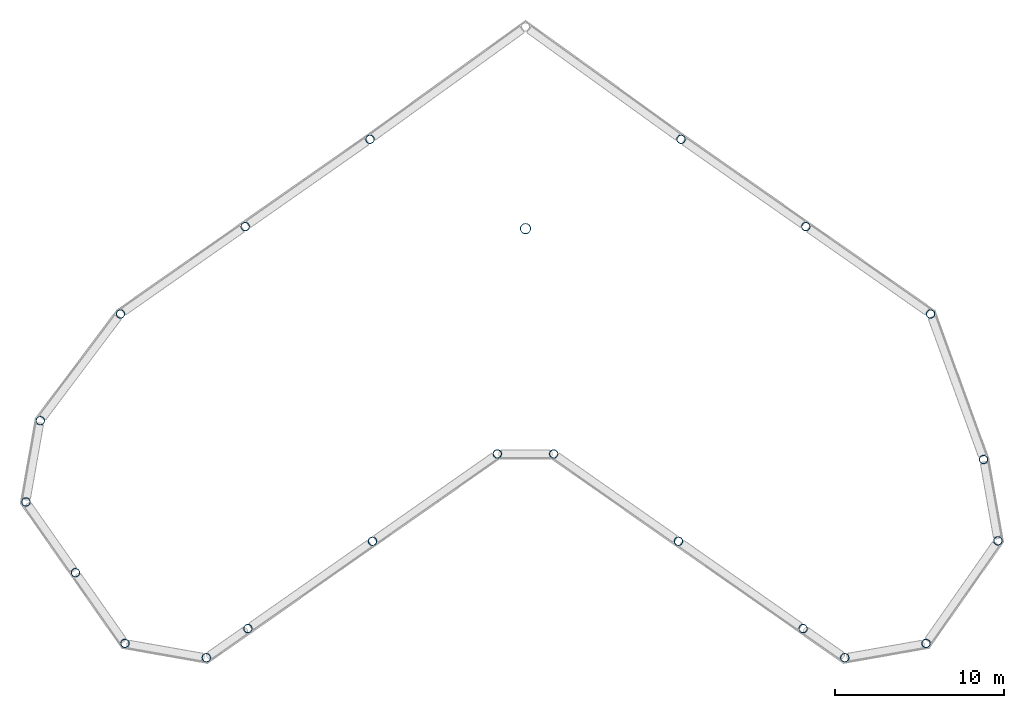
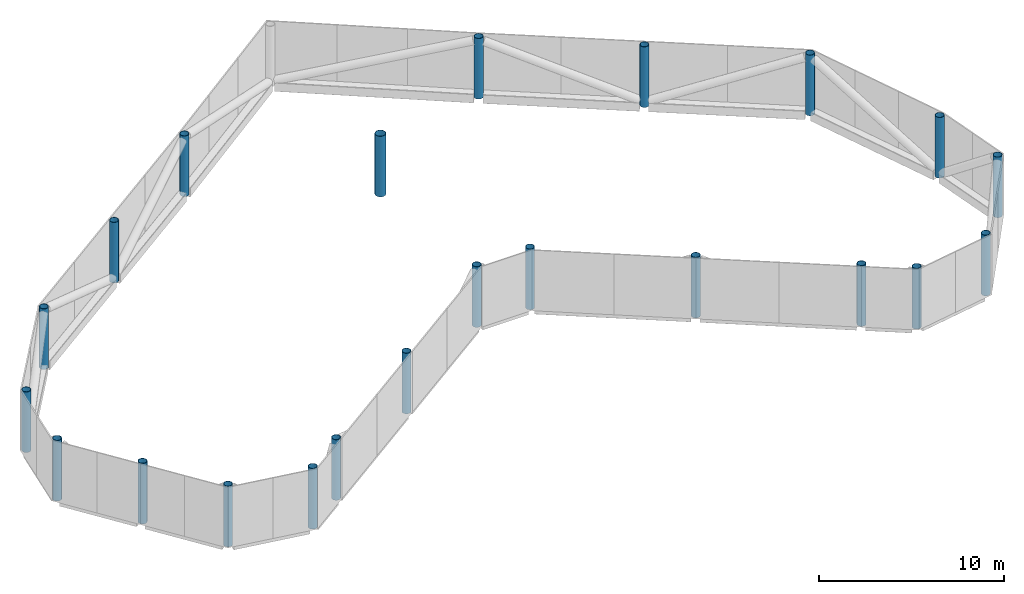
# One storey, part 1 of 4: 22 columns.
"""IFC4 building model written with IfcOpenShell, lengths in metres."""

from ifc_helpers import new_model, si_unit, direction, frame, origin, origin_with_axes, origin_2d, place, context, subcontext, project, spatial, hollow_circle, extrude, material, material_profile, profile_set, type_object, element, save


model = new_model("IFC4")

# Units and contexts
model_context = context("Model", 3, precision=1e-05, world=origin(), true_north=direction((0.0, 1.0)))
body_context = subcontext(model_context, "Body", "Model", "MODEL_VIEW")
ifc_project = project(units=[si_unit("LENGTHUNIT", "METRE"), si_unit("AREAUNIT", "SQUARE_METRE"), si_unit("VOLUMEUNIT", "CUBIC_METRE"), si_unit("PLANEANGLEUNIT", "RADIAN"), si_unit("MASSUNIT", "GRAM", prefix="KILO")], contexts=[model_context])

# Site, building, storey
site_placement = place(None, origin())
site = spatial("IfcSite", under=ifc_project, at=site_placement, CompositionType="ELEMENT")
building_placement = place(site_placement, origin())
building = spatial("IfcBuilding", under=site, at=building_placement, Name="Tel Ilan Convention Tower", CompositionType="ELEMENT")
storey_placement = place(building_placement, frame((0.0, 0.0, 322.800048828125)))
storey = spatial("IfcBuildingStorey", under=building, at=storey_placement, Name="L76", CompositionType="ELEMENT", Elevation=322.800048828125)

# Columns
ifc_material_1 = material(Name="Steel S355", Category="steel")
ifc_material_profile_1 = material_profile(ifc_material_1, hollow_circle(Radius=0.25390625, WallThickness=0.02490234375, at=origin_2d()), Name="CHS 508x25")
ifc_profile_set_1 = profile_set([ifc_material_profile_1], Name="Steel S355")
column_type_1 = type_object("IfcColumnType", Name="CROWN FRAME COLUMN CHS 508x25", PredefinedType="COLUMN", material=ifc_profile_set_1)
for number, where, z_axis, x_axis, name in (
    (1, (-18.866943359375, -25.35791015625, 0.0), (0.0, 0.0, 1.0), (1.0, 0.0, 0.0), "CROWN FRAME column"),
    (2, (-16.409912109375, -23.636962890625, 0.0), (0.0, 0.0, 1.0), (1.0, 0.0, 0.0), "CROWN FRAME column"),
    (3, (-9.0380859375, -18.47509765625, 0.0), (0.0, 0.0, 1.0), (1.0, 0.0, 0.0), "CROWN FRAME column"),
    (4, (-1.6650390625, -13.31298828125, 0.0), (0.0, 0.0, 1.0), (1.0, 0.0, 0.0), "CROWN FRAME column"),
    (5, (1.6650390625, -13.31298828125, 0.0), (0.0, 0.0, 1.0), (1.0, 0.0, 0.0), "CROWN FRAME column"),
    (6, (9.0380859375, -18.47509765625, 0.0), (0.0, 0.0, 1.0), (1.0, 0.0, 0.0), "CROWN FRAME column"),
    (7, (16.409912109375, -23.636962890625, 0.0), (0.0, 0.0, 1.0), (1.0, 0.0, 0.0), "CROWN FRAME column"),
    (8, (18.866943359375, -25.35791015625, 0.0), (0.0, 0.0, 1.0), (1.0, 0.0, 0.0), "CROWN FRAME column"),
    (9, (23.672119140625, -24.510986328125, 0.0), (0.0, 0.0, 1.0), (1.0, 0.0, 0.0), "CROWN FRAME column"),
    (10, (27.9169921875, -18.448974609375, 0.0), (0.0, 0.0, 1.0), (1.0, 0.0, 0.0), "CROWN FRAME column"),
    (11, (27.070068359375, -13.64404296875, 0.0), (0.0, 0.0, 1.0), (1.0, 0.0, 0.0), "CROWN FRAME column"),
    (12, (23.93701171875, -5.0419921875, 0.0), (0.0, 0.0, 1.0), (1.0, 0.0, 0.0), "CROWN FRAME column"),
    (13, (16.56494140625, 0.12109375, 0.0), (0.0, 0.0, 1.0), (1.0, 0.0, 0.0), "CROWN FRAME column"),
    (14, (9.193115234375, 5.282958984375, 0.0), (0.0, 0.0, 1.0), (1.0, 0.0, 0.0), "CROWN FRAME column"),
    (15, (-9.193115234375, 5.282958984375, 0.0), (0.0, 0.0, 1.0), (1.0, 0.0, 0.0), "CROWN FRAME column"),
    (16, (-16.56494140625, 0.12109375, 0.0), (0.0, 0.0, 1.0), (1.0, 0.0, 0.0), "CROWN FRAME column"),
    (17, (-23.93701171875, -5.0419921875, 0.0), (0.0, 0.0, 1.0), (1.0, 0.0, 0.0), "CROWN FRAME column"),
    (18, (-28.676025390625, -11.35009765625, 0.0), (0.0, 0.0, 1.0), (1.0, 0.0, 0.0), "CROWN FRAME column"),
    (19, (-29.52294921875, -16.155029296875, 0.0), (0.0, 0.0, 1.0), (1.0, 0.0, 0.0), "CROWN FRAME column"),
    (20, (-26.597900390625, -20.3330078125, 0.0), (0.0, 0.0, 1.0), (1.0, 0.0, 0.0), "CROWN FRAME column"),
    (21, (-23.672119140625, -24.510986328125, 0.0), (0.0, 0.0, 1.0), (1.0, 0.0, 0.0), "CROWN FRAME column"),
):
    element("IfcColumn", number, at=place(storey_placement, frame(where, z_axis=z_axis, x_axis=x_axis)), inside=storey, type_object=column_type_1, Name=name, PredefinedType="COLUMN", context=body_context, shape_type="SweptSolid", body=[
        extrude(hollow_circle(Radius=0.25390625, WallThickness=0.02490234375, at=origin_2d()), origin(), (0.0, 0.0, 1.0), 4.0),
    ])
ifc_material_2 = material(Name="Steel S355", Category="steel")
ifc_material_profile_2 = material_profile(ifc_material_2, hollow_circle(Radius=0.304931640625, WallThickness=0.02001953125, at=origin_2d()), Name="CHS 610x20")
ifc_profile_set_2 = profile_set([ifc_material_profile_2], Name="Steel S355")
column_type_2 = type_object("IfcColumnType", Name="CROWN FRAME MAST CHS 610x20", PredefinedType="COLUMN", material=ifc_profile_set_2)
column_placement = place(storey_placement, origin_with_axes())
element("IfcColumn", 22, at=column_placement, inside=storey, type_object=column_type_2, Name="CROWN FRAME mast", PredefinedType="COLUMN", context=body_context, shape_type="SweptSolid", body=[
    extrude(hollow_circle(Radius=0.304931640625, WallThickness=0.02001953125, at=origin_2d()), origin(), (0.0, 0.0, 1.0), 4.0),
])

save(model, "model.ifc")
